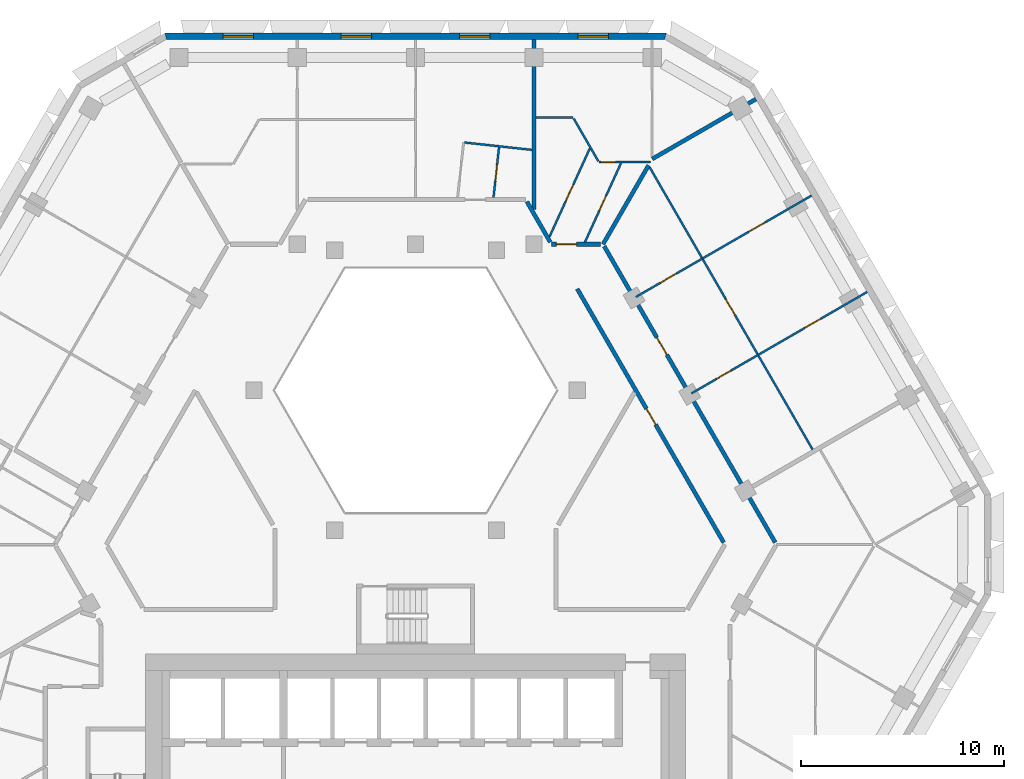
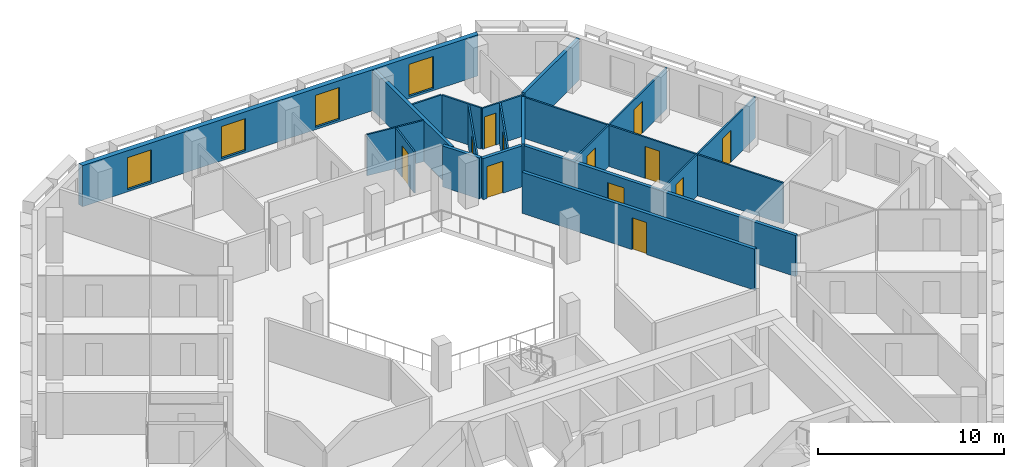
# One storey, part 8 of 15: 20 walls, 12 doors, 4 windows, 16 openings.
"""IFC4 building model written with IfcOpenShell, lengths in metres."""

from ifc_helpers import new_model, si_unit, direction, frame, frame_2d, origin, place, context, subcontext, project, spatial, polyline, rectangle, outline, extrude, material, layer, layer_set, type_object, element, fill, save


model = new_model("IFC4")

# Units and contexts
model_context = context("Model", 3, precision=1e-05, world=origin(), true_north=direction((0.0, 1.0)))
body_context = subcontext(model_context, "Body", "Model", "MODEL_VIEW")
ifc_project = project(units=[si_unit("LENGTHUNIT", "METRE"), si_unit("AREAUNIT", "SQUARE_METRE"), si_unit("VOLUMEUNIT", "CUBIC_METRE"), si_unit("PLANEANGLEUNIT", "RADIAN"), si_unit("MASSUNIT", "GRAM", prefix="KILO")], contexts=[model_context])

# Site, building, storey
site_placement = place(None, origin())
site = spatial("IfcSite", under=ifc_project, at=site_placement, CompositionType="ELEMENT")
building_placement = place(site_placement, origin())
building = spatial("IfcBuilding", under=site, at=building_placement, Name="Beryl Residences", CompositionType="ELEMENT")
storey_placement = place(building_placement, frame((0.0, 0.0, 117.60009765625)))
storey = spatial("IfcBuildingStorey", under=building, at=storey_placement, Name="L35", CompositionType="ELEMENT", Elevation=117.60009765625)

# Wall, openings, windows
ifc_material_1 = material(Name="Composite metal panel with mineral wool insulation")
ifc_layer_1 = layer(ifc_material_1, 0.300048828125)
ifc_layer_set_1 = layer_set([ifc_layer_1], Name="ES1 pale metal composite panel wall 300 mm")
wall_type_1 = type_object("IfcWallType", Name="ES1 pale metal composite panel wall 300 mm", PredefinedType="SOLIDWALL", material=ifc_layer_set_1)
wall_1_placement = place(storey_placement, frame((12.35498046875, 25.449951171875, 0.0), z_axis=(0.0, 0.0, 1.0), x_axis=(-1.0, 0.0, 0.0)))
wall_1 = element("IfcWall", 1, at=wall_1_placement, inside=storey, type_object=wall_type_1, Name="ES1 external wall L35 N", PredefinedType="SOLIDWALL", context=body_context, shape_type="SweptSolid", body=[
    extrude(outline(polyline([(0.0, -0.14990234375), (24.7099609375, -0.14990234375), (24.629638671875, 0.14990234375), (0.080322265625, 0.14990234375), (0.0, -0.14990234375)])), origin(), (0.0, 0.0, 1.0), 2.699951171875),
])
opening_1_placement = place(wall_1_placement, frame((2.85791015625, 0.0, 0.14990234375)))
opening_1 = element("IfcOpeningElement", 2, at=opening_1_placement, cuts=wall_1, Name="Opening W1", PredefinedType="OPENING", context=body_context, shape_type="SweptSolid", body=[
    extrude(rectangle(XDim=1.5, YDim=2.10009765625, at=frame_2d((0.75, 1.050048828125))), frame((0.0, 0.159912109375, 0.0), z_axis=(0.0, -1.0, 0.0), x_axis=(1.0, 0.0, 0.0)), (0.0, 0.0, 1.0), 0.320068359375),
])
opening_2_placement = place(wall_1_placement, frame((8.68896484375, 0.0, 0.14990234375)))
opening_2 = element("IfcOpeningElement", 3, at=opening_2_placement, cuts=wall_1, Name="Opening W1", PredefinedType="OPENING", context=body_context, shape_type="SweptSolid", body=[
    extrude(rectangle(XDim=1.5, YDim=2.10009765625, at=frame_2d((0.75, 1.050048828125))), frame((0.0, 0.159912109375, 0.0), z_axis=(0.0, -1.0, 0.0), x_axis=(1.0, 0.0, 0.0)), (0.0, 0.0, 1.0), 0.320068359375),
])
opening_3_placement = place(wall_1_placement, frame((14.52099609375, 0.0, 0.14990234375)))
opening_3 = element("IfcOpeningElement", 4, at=opening_3_placement, cuts=wall_1, Name="Opening W1", PredefinedType="OPENING", context=body_context, shape_type="SweptSolid", body=[
    extrude(rectangle(XDim=1.5, YDim=2.10009765625, at=frame_2d((0.75, 1.050048828125))), frame((0.0, 0.159912109375, 0.0), z_axis=(0.0, -1.0, 0.0), x_axis=(1.0, 0.0, 0.0)), (0.0, 0.0, 1.0), 0.320068359375),
])
opening_4_placement = place(wall_1_placement, frame((20.35205078125, 0.0, 0.14990234375)))
opening_4 = element("IfcOpeningElement", 5, at=opening_4_placement, cuts=wall_1, Name="Opening W1", PredefinedType="OPENING", context=body_context, shape_type="SweptSolid", body=[
    extrude(rectangle(XDim=1.5, YDim=2.10009765625, at=frame_2d((0.75, 1.050048828125))), frame((0.0, 0.159912109375, 0.0), z_axis=(0.0, -1.0, 0.0), x_axis=(1.0, 0.0, 0.0)), (0.0, 0.0, 1.0), 0.320068359375),
])
ifc_material_2 = material(Name="Aluminium and clear glass", Category="aluminium")
window_type = type_object("IfcWindowType", Name="W1 cell window 1500 x 2100 mm", PartitioningType="SINGLE_PANEL", PredefinedType="WINDOW", material=ifc_material_2)
window_1_placement = place(opening_1_placement, origin())
window_1 = element("IfcWindow", 6, at=window_1_placement, inside=storey, type_object=window_type, Name="W1 window L35 N 2", OverallHeight=2.10009765625, OverallWidth=1.5, PartitioningType="SINGLE_PANEL", PredefinedType="WINDOW", context=body_context, shape_type="SweptSolid", body=[
    extrude(rectangle(XDim=1.5, YDim=2.10009765625, at=frame_2d((0.75, 1.050048828125))), frame((0.0, 0.030029296875, 0.0), z_axis=(0.0, -1.0, 0.0), x_axis=(1.0, 0.0, 0.0)), (0.0, 0.0, 1.0), 0.06005859375),
])
fill(opening_1, window_1)
window_2_placement = place(opening_2_placement, origin())
window_2 = element("IfcWindow", 7, at=window_2_placement, inside=storey, type_object=window_type, Name="W1 window L35 N 4", OverallHeight=2.10009765625, OverallWidth=1.5, PartitioningType="SINGLE_PANEL", PredefinedType="WINDOW", context=body_context, shape_type="SweptSolid", body=[
    extrude(rectangle(XDim=1.5, YDim=2.10009765625, at=frame_2d((0.75, 1.050048828125))), frame((0.0, 0.030029296875, 0.0), z_axis=(0.0, -1.0, 0.0), x_axis=(1.0, 0.0, 0.0)), (0.0, 0.0, 1.0), 0.06005859375),
])
fill(opening_2, window_2)
window_3_placement = place(opening_3_placement, origin())
window_3 = element("IfcWindow", 8, at=window_3_placement, inside=storey, type_object=window_type, Name="W1 window L35 N 6", OverallHeight=2.10009765625, OverallWidth=1.5, PartitioningType="SINGLE_PANEL", PredefinedType="WINDOW", context=body_context, shape_type="SweptSolid", body=[
    extrude(rectangle(XDim=1.5, YDim=2.10009765625, at=frame_2d((0.75, 1.050048828125))), frame((0.0, 0.030029296875, 0.0), z_axis=(0.0, -1.0, 0.0), x_axis=(1.0, 0.0, 0.0)), (0.0, 0.0, 1.0), 0.06005859375),
])
fill(opening_3, window_3)
window_4_placement = place(opening_4_placement, origin())
window_4 = element("IfcWindow", 9, at=window_4_placement, inside=storey, type_object=window_type, Name="W1 window L35 N 8", OverallHeight=2.10009765625, OverallWidth=1.5, PartitioningType="SINGLE_PANEL", PredefinedType="WINDOW", context=body_context, shape_type="SweptSolid", body=[
    extrude(rectangle(XDim=1.5, YDim=2.10009765625, at=frame_2d((0.75, 1.050048828125))), frame((0.0, 0.030029296875, 0.0), z_axis=(0.0, -1.0, 0.0), x_axis=(1.0, 0.0, 0.0)), (0.0, 0.0, 1.0), 0.06005859375),
])
fill(opening_4, window_4)

# Wall
ifc_material_3 = material(Name="Gypsum board partition on steel studs", Category="steel")
ifc_layer_2 = layer(ifc_material_3, 0.10009765625)
ifc_layer_set_2 = layer_set([ifc_layer_2], Name="PT1 partition 100 mm gypsum board on steel studs")
wall_type_2 = type_object("IfcWallType", Name="PT1 partition 100 mm gypsum board on steel studs", PredefinedType="PARTITIONING", material=ifc_layer_set_2)
wall_2_placement = place(storey_placement, frame((7.7919921875, 21.39599609375, 0.0), z_axis=(0.0, 0.0, 1.0), x_axis=(0.499821239653, -0.866128586522, 0.0)))
element("IfcWall", 10, at=wall_2_placement, inside=storey, type_object=wall_type_2, Name="Wall PT1 L35 002", PredefinedType="PARTITIONING", context=body_context, shape_type="SweptSolid", body=[
    extrude(rectangle(XDim=2.4248046875, YDim=0.10009765625, at=frame_2d((1.21240234375, 0.0))), origin(), (0.0, 0.0, 1.0), 2.699951171875),
])

# Wall, opening, door
wall_3_placement = place(storey_placement, frame((11.5390625, 18.986083984375, 0.0), z_axis=(0.0, 0.0, 1.0), x_axis=(0.500019453803, -0.866014171835, 0.0)))
wall_3 = element("IfcWall", 11, at=wall_3_placement, inside=storey, type_object=wall_type_2, Name="Wall PT1 L35 003", PredefinedType="PARTITIONING", context=body_context, shape_type="SweptSolid", body=[
    extrude(rectangle(XDim=16.057373046875, YDim=0.10009765625, at=frame_2d((8.02880859375, 0.0))), origin(), (0.0, 0.0, 1.0), 2.699951171875),
])
opening_5_placement = place(wall_3_placement, frame((7.47998046875, 0.0, 0.0)))
opening_5 = element("IfcOpeningElement", 12, at=opening_5_placement, cuts=wall_3, Name="Opening D1220", PredefinedType="OPENING", context=body_context, shape_type="SweptSolid", body=[
    extrude(rectangle(XDim=0.89990234375, YDim=2.10009765625, at=frame_2d((0.449951171875, 1.050048828125))), frame((0.0, 0.06005859375, 0.0), z_axis=(0.0, -1.0, 0.0), x_axis=(1.0, 0.0, 0.0)), (0.0, 0.0, 1.0), 0.1201171875),
])
ifc_material_4 = material(Name="Timber door leaf", Category="wood")
door_type_1 = type_object("IfcDoorType", Name="D2 room door 900 x 2100 mm", OperationType="SINGLE_SWING_LEFT", PredefinedType="DOOR", material=ifc_material_4)
door_1_placement = place(opening_5_placement, origin())
door_1 = element("IfcDoor", 13, at=door_1_placement, inside=storey, type_object=door_type_1, Name="Door D1220 L35 001", OperationType="SINGLE_SWING_RIGHT", OverallHeight=2.10009765625, OverallWidth=0.89990234375, PredefinedType="DOOR", context=body_context, shape_type="SweptSolid", body=[
    extrude(rectangle(XDim=0.89990234375, YDim=2.10009765625, at=frame_2d((0.449951171875, 1.050048828125))), frame((0.0, 0.02490234375, 0.0), z_axis=(0.0, -1.0, 0.0), x_axis=(1.0, 0.0, 0.0)), (0.0, 0.0, 1.0), 0.050048828125),
])
fill(opening_5, door_1)

# Wall
wall_4_placement = place(storey_placement, frame((2.4189453125, 20.212890625, 0.0), z_axis=(0.0, 0.0, 1.0), x_axis=(0.994022340378, -0.109176860325, 0.0)))
element("IfcWall", 14, at=wall_4_placement, inside=storey, type_object=wall_type_2, Name="Wall PT1 L35 005", PredefinedType="PARTITIONING", context=body_context, shape_type="SweptSolid", body=[
    extrude(rectangle(XDim=3.33203125, YDim=0.10009765625, at=frame_2d((1.666015625, 0.0))), origin(), (0.0, 0.0, 1.0), 2.699951171875),
])

# Wall, opening, door
wall_5_placement = place(storey_placement, frame((9.032958984375, 19.24609375, 0.0), z_axis=(0.0, 0.0, 1.0), x_axis=(1.0, 0.0, 0.0)))
wall_5 = element("IfcWall", 15, at=wall_5_placement, inside=storey, type_object=wall_type_2, Name="Wall PT1 L35 026", PredefinedType="PARTITIONING", context=body_context, shape_type="SweptSolid", body=[
    extrude(rectangle(XDim=2.541015625, YDim=0.10009765625, at=frame_2d((1.2705078125, 0.0))), origin(), (0.0, 0.0, 1.0), 2.699951171875),
])
opening_6_placement = place(wall_5_placement, frame((0.116943359375, 0.0, 0.0)))
opening_6 = element("IfcOpeningElement", 16, at=opening_6_placement, cuts=wall_5, Name="Opening D1228", PredefinedType="OPENING", context=body_context, shape_type="SweptSolid", body=[
    extrude(rectangle(XDim=0.699951171875, YDim=2.10009765625, at=frame_2d((0.35009765625, 1.050048828125))), frame((0.0, 0.06005859375, 0.0), z_axis=(0.0, -1.0, 0.0), x_axis=(1.0, 0.0, 0.0)), (0.0, 0.0, 1.0), 0.1201171875),
])
ifc_material_5 = material(Name="Timber door leaf", Category="wood")
door_type_2 = type_object("IfcDoorType", Name="D14 room door 700 x 2100 mm", OperationType="SINGLE_SWING_LEFT", PredefinedType="DOOR", material=ifc_material_5)
door_2_placement = place(opening_6_placement, origin())
door_2 = element("IfcDoor", 17, at=door_2_placement, inside=storey, type_object=door_type_2, Name="Door D1228 L35 001", OperationType="SINGLE_SWING_RIGHT", OverallHeight=2.10009765625, OverallWidth=0.699951171875, PredefinedType="DOOR", context=body_context, shape_type="SweptSolid", body=[
    extrude(rectangle(XDim=0.699951171875, YDim=2.10009765625, at=frame_2d((0.35009765625, 1.050048828125))), frame((0.0, 0.02490234375, 0.0), z_axis=(0.0, -1.0, 0.0), x_axis=(1.0, 0.0, 0.0)), (0.0, 0.0, 1.0), 0.050048828125),
])
fill(opening_6, door_2)

# Wall
wall_6_placement = place(storey_placement, frame((5.930908203125, 21.446044921875, 0.0), z_axis=(0.0, 0.0, 1.0), x_axis=(1.0, 0.0, 0.0)))
element("IfcWall", 18, at=wall_6_placement, inside=storey, type_object=wall_type_2, Name="Wall PT1 L35 028", PredefinedType="PARTITIONING", context=body_context, shape_type="SweptSolid", body=[
    extrude(rectangle(XDim=1.83203125, YDim=0.10009765625, at=frame_2d((0.916015625, 0.0))), origin(), (0.0, 0.0, 1.0), 2.699951171875),
])

# Wall, opening, door
wall_7_placement = place(storey_placement, frame((8.345947265625, 15.300048828125, 0.0), z_axis=(0.0, 0.0, 1.0), x_axis=(0.415189790387, 0.909734817383, 0.0)))
wall_7 = element("IfcWall", 19, at=wall_7_placement, inside=storey, type_object=wall_type_2, Name="Wall PT1 L35 033", PredefinedType="PARTITIONING", context=body_context, shape_type="SweptSolid", body=[
    extrude(rectangle(XDim=4.282470703125, YDim=0.10009765625, at=frame_2d((2.14111328125, 0.0))), origin(), (0.0, 0.0, 1.0), 2.699951171875),
])
opening_7_placement = place(wall_7_placement, frame((1.714111328125, 0.0, 0.0)))
opening_7 = element("IfcOpeningElement", 20, at=opening_7_placement, cuts=wall_7, Name="Opening D1227", PredefinedType="OPENING", context=body_context, shape_type="SweptSolid", body=[
    extrude(rectangle(XDim=0.800048828125, YDim=2.10009765625, at=frame_2d((0.39990234375, 1.050048828125))), frame((0.0, 0.06005859375, 0.0), z_axis=(0.0, -1.0, 0.0), x_axis=(1.0, 0.0, 0.0)), (0.0, 0.0, 1.0), 0.1201171875),
])
ifc_material_6 = material(Name="Timber door leaf", Category="wood")
door_type_3 = type_object("IfcDoorType", Name="D3 bathroom door 800 x 2100 mm", OperationType="SINGLE_SWING_LEFT", PredefinedType="DOOR", material=ifc_material_6)
door_3_placement = place(opening_7_placement, origin())
door_3 = element("IfcDoor", 21, at=door_3_placement, inside=storey, type_object=door_type_3, Name="Door D1227 L35 001", OperationType="SINGLE_SWING_LEFT", OverallHeight=2.10009765625, OverallWidth=0.800048828125, PredefinedType="DOOR", context=body_context, shape_type="SweptSolid", body=[
    extrude(rectangle(XDim=0.800048828125, YDim=2.10009765625, at=frame_2d((0.39990234375, 1.050048828125))), frame((0.0, 0.02490234375, 0.0), z_axis=(0.0, -1.0, 0.0), x_axis=(1.0, 0.0, 0.0)), (0.0, 0.0, 1.0), 0.050048828125),
])
fill(opening_7, door_3)

wall_8_placement = place(storey_placement, frame((6.60009765625, 15.569091796875, 0.0), z_axis=(0.0, 0.0, 1.0), x_axis=(0.415221636251, 0.909720282718, 0.0)))
wall_8 = element("IfcWall", 22, at=wall_8_placement, inside=storey, type_object=wall_type_2, Name="Wall PT1 L35 034", PredefinedType="PARTITIONING", context=body_context, shape_type="SweptSolid", body=[
    extrude(rectangle(XDim=4.78271484375, YDim=0.10009765625, at=frame_2d((2.391357421875, 0.0))), origin(), (0.0, 0.0, 1.0), 2.699951171875),
])
opening_8_placement = place(wall_8_placement, frame((1.910888671875, 0.0, 0.0)))
opening_8 = element("IfcOpeningElement", 23, at=opening_8_placement, cuts=wall_8, Name="Opening D1226", PredefinedType="OPENING", context=body_context, shape_type="SweptSolid", body=[
    extrude(rectangle(XDim=0.89990234375, YDim=2.10009765625, at=frame_2d((0.449951171875, 1.050048828125))), frame((0.0, 0.06005859375, 0.0), z_axis=(0.0, -1.0, 0.0), x_axis=(1.0, 0.0, 0.0)), (0.0, 0.0, 1.0), 0.1201171875),
])
door_4_placement = place(opening_8_placement, origin())
door_4 = element("IfcDoor", 24, at=door_4_placement, inside=storey, type_object=door_type_1, Name="Door D1226 L35 001", OperationType="SINGLE_SWING_RIGHT", OverallHeight=2.10009765625, OverallWidth=0.89990234375, PredefinedType="DOOR", context=body_context, shape_type="SweptSolid", body=[
    extrude(rectangle(XDim=0.89990234375, YDim=2.10009765625, at=frame_2d((0.449951171875, 1.050048828125))), frame((0.0, 0.02490234375, 0.0), z_axis=(0.0, -1.0, 0.0), x_axis=(1.0, 0.0, 0.0)), (0.0, 0.0, 1.0), 0.050048828125),
])
fill(opening_8, door_4)

wall_9_placement = place(storey_placement, frame((3.840087890625, 17.5, 0.0), z_axis=(0.0, 0.0, 1.0), x_axis=(0.109141067014, 0.994026271027, 0.0)))
wall_9 = element("IfcWall", 25, at=wall_9_placement, inside=storey, type_object=wall_type_2, Name="Wall PT1 L35 037", PredefinedType="PARTITIONING", context=body_context, shape_type="SweptSolid", body=[
    extrude(rectangle(XDim=2.491943359375, YDim=0.10009765625, at=frame_2d((1.24609375, 0.0))), origin(), (0.0, 0.0, 1.0), 2.699951171875),
])
opening_9_placement = place(wall_9_placement, frame((0.820068359375, 0.0, 0.0)))
opening_9 = element("IfcOpeningElement", 26, at=opening_9_placement, cuts=wall_9, Name="Opening D1232", PredefinedType="OPENING", context=body_context, shape_type="SweptSolid", body=[
    extrude(rectangle(XDim=0.800048828125, YDim=2.10009765625, at=frame_2d((0.39990234375, 1.050048828125))), frame((0.0, 0.06005859375, 0.0), z_axis=(0.0, -1.0, 0.0), x_axis=(1.0, 0.0, 0.0)), (0.0, 0.0, 1.0), 0.1201171875),
])
door_5_placement = place(opening_9_placement, origin())
door_5 = element("IfcDoor", 27, at=door_5_placement, inside=storey, type_object=door_type_3, Name="Door D1232 L35 001", OperationType="SINGLE_SWING_RIGHT", OverallHeight=2.10009765625, OverallWidth=0.800048828125, PredefinedType="DOOR", context=body_context, shape_type="SweptSolid", body=[
    extrude(rectangle(XDim=0.800048828125, YDim=2.10009765625, at=frame_2d((0.39990234375, 1.050048828125))), frame((0.0, 0.02490234375, 0.0), z_axis=(0.0, -1.0, 0.0), x_axis=(1.0, 0.0, 0.0)), (0.0, 0.0, 1.0), 0.050048828125),
])
fill(opening_9, door_5)

wall_10_placement = place(storey_placement, frame((13.596923828125, 7.85009765625, 0.0), z_axis=(0.0, 0.0, 1.0), x_axis=(0.8660642533, 0.499932704626, 0.0)))
wall_10 = element("IfcWall", 28, at=wall_10_placement, inside=storey, type_object=wall_type_2, Name="Wall PT1 L35 051", PredefinedType="PARTITIONING", context=body_context, shape_type="SweptSolid", body=[
    extrude(rectangle(XDim=3.7861328125, YDim=0.10009765625, at=frame_2d((1.89306640625, 0.0))), origin(), (0.0, 0.0, 1.0), 2.699951171875),
])
opening_10_placement = place(wall_10_placement, frame((1.443115234375, 0.0, 0.0)))
opening_10 = element("IfcOpeningElement", 29, at=opening_10_placement, cuts=wall_10, Name="Opening D1222", PredefinedType="OPENING", context=body_context, shape_type="SweptSolid", body=[
    extrude(rectangle(XDim=0.800048828125, YDim=2.10009765625, at=frame_2d((0.39990234375, 1.050048828125))), frame((0.0, 0.06005859375, 0.0), z_axis=(0.0, -1.0, 0.0), x_axis=(1.0, 0.0, 0.0)), (0.0, 0.0, 1.0), 0.1201171875),
])
door_6_placement = place(opening_10_placement, origin())
door_6 = element("IfcDoor", 30, at=door_6_placement, inside=storey, type_object=door_type_3, Name="Door D1222 L35 001", OperationType="SINGLE_SWING_RIGHT", OverallHeight=2.10009765625, OverallWidth=0.800048828125, PredefinedType="DOOR", context=body_context, shape_type="SweptSolid", body=[
    extrude(rectangle(XDim=0.800048828125, YDim=2.10009765625, at=frame_2d((0.39990234375, 1.050048828125))), frame((0.0, 0.02490234375, 0.0), z_axis=(0.0, -1.0, 0.0), x_axis=(1.0, 0.0, 0.0)), (0.0, 0.0, 1.0), 0.050048828125),
])
fill(opening_10, door_6)

wall_11_placement = place(storey_placement, frame((10.85400390625, 12.60009765625, 0.0), z_axis=(0.0, 0.0, 1.0), x_axis=(0.8660642533, 0.499932704626, 0.0)))
wall_11 = element("IfcWall", 31, at=wall_11_placement, inside=storey, type_object=wall_type_2, Name="Wall PT1 L35 052", PredefinedType="PARTITIONING", context=body_context, shape_type="SweptSolid", body=[
    extrude(rectangle(XDim=3.7861328125, YDim=0.10009765625, at=frame_2d((1.89306640625, 0.0))), origin(), (0.0, 0.0, 1.0), 2.699951171875),
])
opening_11_placement = place(wall_11_placement, frame((1.39306640625, 0.0, 0.0)))
opening_11 = element("IfcOpeningElement", 32, at=opening_11_placement, cuts=wall_11, Name="Opening D1221", PredefinedType="OPENING", context=body_context, shape_type="SweptSolid", body=[
    extrude(rectangle(XDim=0.89990234375, YDim=2.10009765625, at=frame_2d((0.449951171875, 1.050048828125))), frame((0.0, 0.06005859375, 0.0), z_axis=(0.0, -1.0, 0.0), x_axis=(1.0, 0.0, 0.0)), (0.0, 0.0, 1.0), 0.1201171875),
])
door_7_placement = place(opening_11_placement, origin())
door_7 = element("IfcDoor", 33, at=door_7_placement, inside=storey, type_object=door_type_1, Name="Door D1221 L35 001", OperationType="SINGLE_SWING_LEFT", OverallHeight=2.10009765625, OverallWidth=0.89990234375, PredefinedType="DOOR", context=body_context, shape_type="SweptSolid", body=[
    extrude(rectangle(XDim=0.89990234375, YDim=2.10009765625, at=frame_2d((0.449951171875, 1.050048828125))), frame((0.0, 0.02490234375, 0.0), z_axis=(0.0, -1.0, 0.0), x_axis=(1.0, 0.0, 0.0)), (0.0, 0.0, 1.0), 0.050048828125),
])
fill(opening_11, door_7)

wall_12_placement = place(storey_placement, frame((16.8759765625, 9.742919921875, 0.0), z_axis=(0.0, 0.0, 1.0), x_axis=(0.865997794851, 0.500047817026, 0.0)))
wall_12 = element("IfcWall", 34, at=wall_12_placement, inside=storey, type_object=wall_type_2, Name="Wall PT1 L35 053", PredefinedType="PARTITIONING", context=body_context, shape_type="SweptSolid", body=[
    extrude(rectangle(XDim=6.2138671875, YDim=0.10009765625, at=frame_2d((3.10693359375, 0.0))), origin(), (0.0, 0.0, 1.0), 2.699951171875),
])
opening_12_placement = place(wall_12_placement, frame((2.656982421875, 0.0, 0.0)))
opening_12 = element("IfcOpeningElement", 35, at=opening_12_placement, cuts=wall_12, Name="Opening D1223", PredefinedType="OPENING", context=body_context, shape_type="SweptSolid", body=[
    extrude(rectangle(XDim=0.89990234375, YDim=2.10009765625, at=frame_2d((0.449951171875, 1.050048828125))), frame((0.0, 0.06005859375, 0.0), z_axis=(0.0, -1.0, 0.0), x_axis=(1.0, 0.0, 0.0)), (0.0, 0.0, 1.0), 0.1201171875),
])
door_8_placement = place(opening_12_placement, origin())
door_8 = element("IfcDoor", 36, at=door_8_placement, inside=storey, type_object=door_type_1, Name="Door D1223 L35 001", OperationType="SINGLE_SWING_LEFT", OverallHeight=2.10009765625, OverallWidth=0.89990234375, PredefinedType="DOOR", context=body_context, shape_type="SweptSolid", body=[
    extrude(rectangle(XDim=0.89990234375, YDim=2.10009765625, at=frame_2d((0.449951171875, 1.050048828125))), frame((0.0, 0.02490234375, 0.0), z_axis=(0.0, -1.0, 0.0), x_axis=(1.0, 0.0, 0.0)), (0.0, 0.0, 1.0), 0.050048828125),
])
fill(opening_12, door_8)

wall_13_placement = place(storey_placement, frame((14.133056640625, 14.492919921875, 0.0), z_axis=(0.0, 0.0, 1.0), x_axis=(0.866056028236, 0.499946953142, 0.0)))
wall_13 = element("IfcWall", 37, at=wall_13_placement, inside=storey, type_object=wall_type_2, Name="Wall PT1 L35 054", PredefinedType="PARTITIONING", context=body_context, shape_type="SweptSolid", body=[
    extrude(rectangle(XDim=6.213134765625, YDim=0.10009765625, at=frame_2d((3.1064453125, 0.0))), origin(), (0.0, 0.0, 1.0), 2.699951171875),
])
opening_13_placement = place(wall_13_placement, frame((2.656982421875, 0.0, 0.0)))
opening_13 = element("IfcOpeningElement", 38, at=opening_13_placement, cuts=wall_13, Name="Opening D1224", PredefinedType="OPENING", context=body_context, shape_type="SweptSolid", body=[
    extrude(rectangle(XDim=0.89990234375, YDim=2.10009765625, at=frame_2d((0.449951171875, 1.050048828125))), frame((0.0, 0.06005859375, 0.0), z_axis=(0.0, -1.0, 0.0), x_axis=(1.0, 0.0, 0.0)), (0.0, 0.0, 1.0), 0.1201171875),
])
door_9_placement = place(opening_13_placement, origin())
door_9 = element("IfcDoor", 39, at=door_9_placement, inside=storey, type_object=door_type_1, Name="Door D1224 L35 001", OperationType="SINGLE_SWING_RIGHT", OverallHeight=2.10009765625, OverallWidth=0.89990234375, PredefinedType="DOOR", context=body_context, shape_type="SweptSolid", body=[
    extrude(rectangle(XDim=0.89990234375, YDim=2.10009765625, at=frame_2d((0.449951171875, 1.050048828125))), frame((0.0, 0.02490234375, 0.0), z_axis=(0.0, -1.0, 0.0), x_axis=(1.0, 0.0, 0.0)), (0.0, 0.0, 1.0), 0.050048828125),
])
fill(opening_13, door_9)

# Walls
ifc_material_7 = material(Name="Acoustic double stud gypsum board wall")
ifc_layer_3 = layer(ifc_material_7, 0.199951171875)
ifc_layer_set_3 = layer_set([ifc_layer_3], Name="PT3 party wall 200 mm acoustic double stud")
wall_type_3 = type_object("IfcWallType", Name="PT3 party wall 200 mm acoustic double stud", PredefinedType="PARTITIONING", material=ifc_layer_set_3)
wall_14_placement = place(storey_placement, frame((9.238037109375, 15.199951171875, 0.0), z_axis=(0.0, 0.0, 1.0), x_axis=(0.499890453443, 0.866088641281, 0.0)))
element("IfcWall", 40, at=wall_14_placement, inside=storey, type_object=wall_type_3, Name="Wall PT3 L35 008", PredefinedType="PARTITIONING", context=body_context, shape_type="SweptSolid", body=[
    extrude(rectangle(XDim=4.48681640625, YDim=0.199951171875, at=frame_2d((2.243408203125, 0.0))), origin(), (0.0, 0.0, 1.0), 2.699951171875),
])
wall_15_placement = place(storey_placement, frame((5.8310546875, 16.903076171875, 0.0), z_axis=(0.0, 0.0, 1.0), x_axis=(0.0, 1.0, 0.0)))
element("IfcWall", 41, at=wall_15_placement, inside=storey, type_object=wall_type_3, Name="Wall PT3 L35 009", PredefinedType="PARTITIONING", context=body_context, shape_type="SweptSolid", body=[
    extrude(rectangle(XDim=8.39697265625, YDim=0.199951171875, at=frame_2d((4.198486328125, 0.0))), origin(), (0.0, 0.0, 1.0), 2.699951171875),
])
wall_16_placement = place(storey_placement, frame((11.6630859375, 19.39990234375, 0.0), z_axis=(0.0, 0.0, 1.0), x_axis=(0.865941558533, 0.500145196124, 0.0)))
element("IfcWall", 42, at=wall_16_placement, inside=storey, type_object=wall_type_3, Name="Wall PT3 L35 014", PredefinedType="PARTITIONING", context=body_context, shape_type="SweptSolid", body=[
    extrude(rectangle(XDim=5.898681640625, YDim=0.199951171875, at=frame_2d((2.94921875, 0.0))), origin(), (0.0, 0.0, 1.0), 2.699951171875),
])
ifc_material_8 = material(Name="Double stud gypsum board wall")
ifc_layer_4 = layer(ifc_material_8, 0.199951171875)
ifc_layer_set_4 = layer_set([ifc_layer_4], Name="PT4 corridor wall 200 mm double stud")
wall_type_4 = type_object("IfcWallType", Name="PT4 corridor wall 200 mm double stud", PredefinedType="PARTITIONING", material=ifc_layer_set_4)
wall_17_placement = place(storey_placement, frame((5.485107421875, 17.300048828125, 0.0), z_axis=(0.0, 0.0, 1.0), x_axis=(0.500027479704, -0.866009537788, 0.0)))
element("IfcWall", 43, at=wall_17_placement, inside=storey, type_object=wall_type_4, Name="Wall PT4 L35 005", PredefinedType="PARTITIONING", context=body_context, shape_type="SweptSolid", body=[
    extrude(rectangle(XDim=2.309326171875, YDim=0.199951171875, at=frame_2d((1.15478515625, 0.0))), origin(), (0.0, 0.0, 1.0), 2.699951171875),
])

# Wall, opening, door
wall_18_placement = place(storey_placement, frame((7.967041015625, 13.0, 0.0), z_axis=(0.0, 0.0, 1.0), x_axis=(0.50003774998, -0.866003607726, 0.0)))
wall_18 = element("IfcWall", 44, at=wall_18_placement, inside=storey, type_object=wall_type_4, Name="Wall PT4 L35 006", PredefinedType="PARTITIONING", context=body_context, shape_type="SweptSolid", body=[
    extrude(rectangle(XDim=14.43310546875, YDim=0.199951171875, at=frame_2d((7.216552734375, 0.0))), origin(), (0.0, 0.0, 1.0), 2.699951171875),
])
opening_14_placement = place(wall_18_placement, frame((6.823974609375, 0.0, 0.0)))
opening_14 = element("IfcOpeningElement", 45, at=opening_14_placement, cuts=wall_18, Name="Opening D1255", PredefinedType="OPENING", context=body_context, shape_type="SweptSolid", body=[
    extrude(rectangle(XDim=0.89990234375, YDim=2.10009765625, at=frame_2d((0.449951171875, 1.050048828125))), frame((0.0, 0.10986328125, 0.0), z_axis=(0.0, -1.0, 0.0), x_axis=(1.0, 0.0, 0.0)), (0.0, 0.0, 1.0), 0.219970703125),
])
door_10_placement = place(opening_14_placement, origin())
door_10 = element("IfcDoor", 46, at=door_10_placement, inside=storey, type_object=door_type_1, Name="Door D1255 L35 001", OperationType="SINGLE_SWING_LEFT", OverallHeight=2.10009765625, OverallWidth=0.89990234375, PredefinedType="DOOR", context=body_context, shape_type="SweptSolid", body=[
    extrude(rectangle(XDim=0.89990234375, YDim=2.10009765625, at=frame_2d((0.449951171875, 1.050048828125))), frame((0.0, 0.02490234375, 0.0), z_axis=(0.0, -1.0, 0.0), x_axis=(1.0, 0.0, 0.0)), (0.0, 0.0, 1.0), 0.050048828125),
])
fill(opening_14, door_10)

wall_19_placement = place(storey_placement, frame((9.2958984375, 15.10009765625, 0.0), z_axis=(0.0, 0.0, 1.0), x_axis=(0.499974024244, -0.866040400375, 0.0)))
wall_19 = element("IfcWall", 47, at=wall_19_placement, inside=storey, type_object=wall_type_4, Name="Wall PT4 L35 007", PredefinedType="PARTITIONING", context=body_context, shape_type="SweptSolid", body=[
    extrude(rectangle(XDim=16.857421875, YDim=0.199951171875, at=frame_2d((8.4287109375, 0.0))), origin(), (0.0, 0.0, 1.0), 2.699951171875),
])
opening_15_placement = place(wall_19_placement, frame((5.18701171875, 0.0, 0.0)))
opening_15 = element("IfcOpeningElement", 48, at=opening_15_placement, cuts=wall_19, Name="Opening D1219", PredefinedType="OPENING", context=body_context, shape_type="SweptSolid", body=[
    extrude(rectangle(XDim=1.0, YDim=2.10009765625, at=frame_2d((0.5, 1.050048828125))), frame((0.0, 0.10986328125, 0.0), z_axis=(0.0, -1.0, 0.0), x_axis=(1.0, 0.0, 0.0)), (0.0, 0.0, 1.0), 0.219970703125),
])
ifc_material_9 = material(Name="Timber door leaf", Category="wood")
door_type_4 = type_object("IfcDoorType", Name="D1 flat entrance door 1000 x 2100 mm", OperationType="SINGLE_SWING_LEFT", PredefinedType="DOOR", material=ifc_material_9)
door_11_placement = place(opening_15_placement, origin())
door_11 = element("IfcDoor", 49, at=door_11_placement, inside=storey, type_object=door_type_4, Name="Door D1219 L35 001", OperationType="SINGLE_SWING_LEFT", OverallHeight=2.10009765625, OverallWidth=1.0, PredefinedType="DOOR", context=body_context, shape_type="SweptSolid", body=[
    extrude(rectangle(XDim=1.0, YDim=2.10009765625, at=frame_2d((0.5, 1.050048828125))), frame((0.0, 0.02490234375, 0.0), z_axis=(0.0, -1.0, 0.0), x_axis=(1.0, 0.0, 0.0)), (0.0, 0.0, 1.0), 0.050048828125),
])
fill(opening_15, door_11)

wall_20_placement = place(storey_placement, frame((6.697021484375, 15.199951171875, 0.0), z_axis=(0.0, 0.0, 1.0), x_axis=(1.0, 0.0, 0.0)))
wall_20 = element("IfcWall", 50, at=wall_20_placement, inside=storey, type_object=wall_type_4, Name="Wall PT4 L35 016", PredefinedType="PARTITIONING", context=body_context, shape_type="SweptSolid", body=[
    extrude(rectangle(XDim=2.425048828125, YDim=0.199951171875, at=frame_2d((1.21240234375, 0.0))), origin(), (0.0, 0.0, 1.0), 2.699951171875),
])
opening_16_placement = place(wall_20_placement, frame((0.242919921875, 0.0, 0.0)))
opening_16 = element("IfcOpeningElement", 51, at=opening_16_placement, cuts=wall_20, Name="Opening D1225", PredefinedType="OPENING", context=body_context, shape_type="SweptSolid", body=[
    extrude(rectangle(XDim=1.0, YDim=2.10009765625, at=frame_2d((0.5, 1.050048828125))), frame((0.0, 0.10986328125, 0.0), z_axis=(0.0, -1.0, 0.0), x_axis=(1.0, 0.0, 0.0)), (0.0, 0.0, 1.0), 0.219970703125),
])
door_12_placement = place(opening_16_placement, origin())
door_12 = element("IfcDoor", 52, at=door_12_placement, inside=storey, type_object=door_type_4, Name="Door D1225 L35 001", OperationType="SINGLE_SWING_LEFT", OverallHeight=2.10009765625, OverallWidth=1.0, PredefinedType="DOOR", context=body_context, shape_type="SweptSolid", body=[
    extrude(rectangle(XDim=1.0, YDim=2.10009765625, at=frame_2d((0.5, 1.050048828125))), frame((0.0, 0.02490234375, 0.0), z_axis=(0.0, -1.0, 0.0), x_axis=(1.0, 0.0, 0.0)), (0.0, 0.0, 1.0), 0.050048828125),
])
fill(opening_16, door_12)

save(model, "model.ifc")
